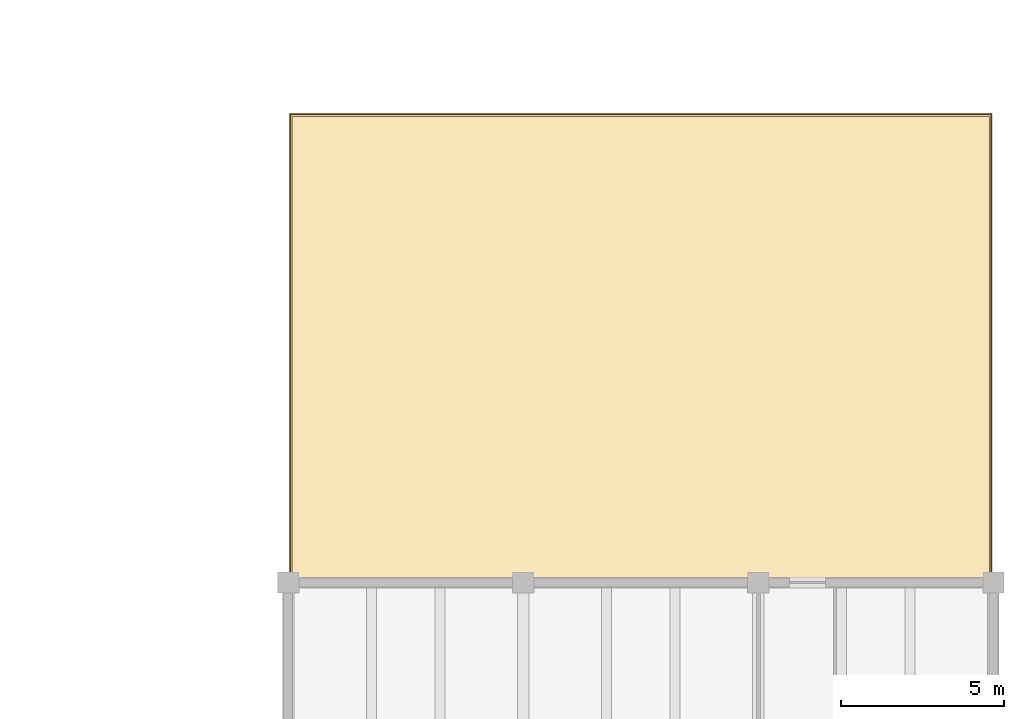
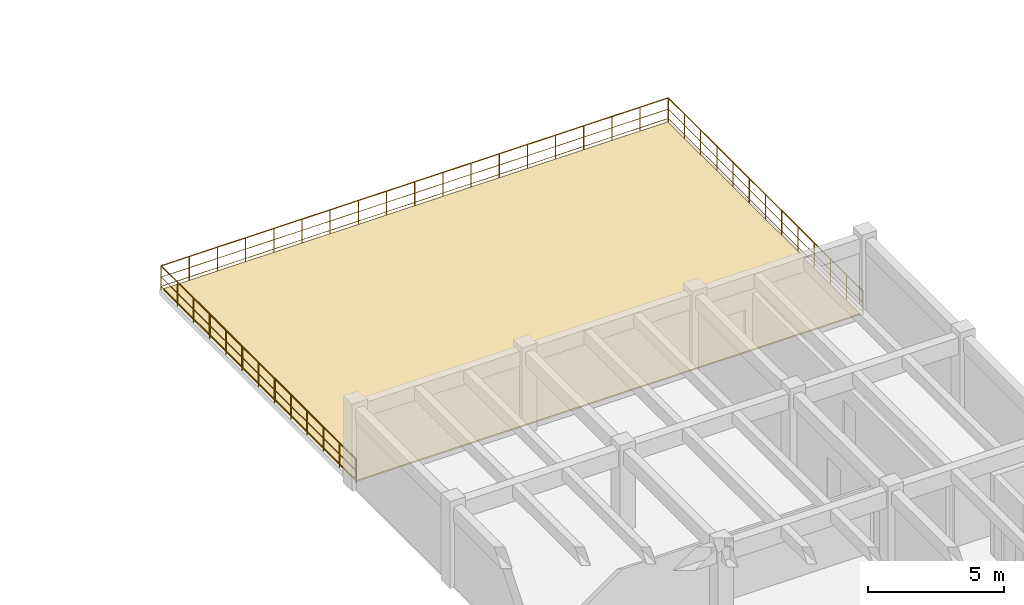
# One storey, part 13 of 13: 3 railings, 1 covering.
"""IFC4 building model written with IfcOpenShell, lengths in metres."""

from ifc_helpers import new_model, si_unit, direction, frame, origin, origin_2d, place, context, subcontext, project, spatial, polyline, circle, outline, extrude, material, layer, layer_set, type_object, element, save


model = new_model("IFC4")

# Units and contexts
model_context = context("Model", 3, precision=1e-05, world=origin(), true_north=direction((0.0, 1.0)))
body_context = subcontext(model_context, "Body", "Model", "MODEL_VIEW")
ifc_project = project(units=[si_unit("LENGTHUNIT", "METRE"), si_unit("AREAUNIT", "SQUARE_METRE"), si_unit("VOLUMEUNIT", "CUBIC_METRE"), si_unit("PLANEANGLEUNIT", "RADIAN"), si_unit("MASSUNIT", "GRAM", prefix="KILO")], contexts=[model_context])

# Site, building, storey
site_placement = place(None, origin())
site = spatial("IfcSite", under=ifc_project, at=site_placement, CompositionType="ELEMENT")
building_placement = place(site_placement, origin())
building = spatial("IfcBuilding", under=site, at=building_placement, Name="Koriwan Promenade Central Fire Station", CompositionType="ELEMENT")
storey_placement = place(building_placement, frame((0.0, 0.0, 13.5)))
storey = spatial("IfcBuildingStorey", under=building, at=storey_placement, Name="L03", CompositionType="ELEMENT", Elevation=13.5)

# Covering
ifc_material_1 = material(Name="Waterproofed xerophytic roof-garden drainage build-up", Category="membrane")
ifc_layer_1 = layer(ifc_material_1, 0.06005859375, Name="Waterproofed xerophytic roof-garden drainage build-up")
ifc_layer_set_1 = layer_set([ifc_layer_1], Name="Waterproofed xerophytic roof-garden drainage build-up")
covering_type = type_object("IfcCoveringType", Name="RoofCovering_Garden", PredefinedType="ROOFING", material=ifc_layer_set_1)
covering_placement = place(storey_placement, origin())
element("IfcCovering", 1, at=covering_placement, inside=storey, type_object=covering_type, Name="East Courtyard Roof Garden waterproofed garden build-up", PredefinedType="ROOFING", context=body_context, shape_type="SweptSolid", body=[
    extrude(outline(polyline([(172.679931640625, 43.320068359375), (151.320068359375, 43.320068359375), (151.320068359375, 57.47998046875), (172.679931640625, 57.47998046875), (172.679931640625, 43.320068359375)])), origin(), (0.0, 0.0, 1.0), 0.06005859375),
])

# Railings
ifc_material_2 = material(Name="Steel ASTM A500 Grade C", Category="steel")
ifc_layer_2 = layer(ifc_material_2, 0.06005859375, Name="Steel ASTM A500 Grade C")
ifc_layer_set_2 = layer_set([ifc_layer_2], Name="Steel ASTM A500 Grade C")
railing_type = type_object("IfcRailingType", Name="TerraceGuard_1100", PredefinedType="BALUSTRADE", material=ifc_layer_set_2)
railing_1_placement = place(storey_placement, frame((151.260009765625, 43.260009765625, 0.0)))
element("IfcRailing", 2, at=railing_1_placement, inside=storey, type_object=railing_type, Name="East Courtyard Roof Garden protective balustrade 020", PredefinedType="BALUSTRADE", context=body_context, shape_type="SweptSolid", body=[
    extrude(circle(Radius=0.02392578125, at=origin_2d()), frame((0.0, 0.0, 1.076171875), z_axis=(0.0, 1.0, 0.0), x_axis=(-1.0, 0.0, 0.0)), (0.0, 0.0, 1.0), 14.280029296875),
    extrude(circle(Radius=0.012939453125, at=origin_2d()), frame((0.0, 0.0, 0.572021484375), z_axis=(0.0, 1.0, 0.0), x_axis=(-1.0, 0.0, 0.0)), (0.0, 0.0, 1.0), 14.280029296875),
    extrude(circle(Radius=0.012939453125, at=origin_2d()), frame((0.0, 0.0, 0.154052734375), z_axis=(0.0, 1.0, 0.0), x_axis=(-1.0, 0.0, 0.0)), (0.0, 0.0, 1.0), 14.280029296875),
    extrude(circle(Radius=0.02099609375, at=origin_2d()), origin(), (0.0, 0.0, 1.0), 1.052001953125),
    extrude(circle(Radius=0.02099609375, at=origin_2d()), frame((0.0, 1.18994140625, 0.0)), (0.0, 0.0, 1.0), 1.052001953125),
    extrude(circle(Radius=0.02099609375, at=origin_2d()), frame((0.0, 2.3798828125, 0.0)), (0.0, 0.0, 1.0), 1.052001953125),
    extrude(circle(Radius=0.02099609375, at=origin_2d()), frame((0.0, 3.570068359375, 0.0)), (0.0, 0.0, 1.0), 1.052001953125),
    extrude(circle(Radius=0.02099609375, at=origin_2d()), frame((0.0, 4.760009765625, 0.0)), (0.0, 0.0, 1.0), 1.052001953125),
    extrude(circle(Radius=0.02099609375, at=origin_2d()), frame((0.0, 5.949951171875, 0.0)), (0.0, 0.0, 1.0), 1.052001953125),
    extrude(circle(Radius=0.02099609375, at=origin_2d()), frame((0.0, 7.14013671875, 0.0)), (0.0, 0.0, 1.0), 1.052001953125),
    extrude(circle(Radius=0.02099609375, at=origin_2d()), frame((0.0, 8.330078125, 0.0)), (0.0, 0.0, 1.0), 1.052001953125),
    extrude(circle(Radius=0.02099609375, at=origin_2d()), frame((0.0, 9.52001953125, 0.0)), (0.0, 0.0, 1.0), 1.052001953125),
    extrude(circle(Radius=0.02099609375, at=origin_2d()), frame((0.0, 10.7099609375, 0.0)), (0.0, 0.0, 1.0), 1.052001953125),
    extrude(circle(Radius=0.02099609375, at=origin_2d()), frame((0.0, 11.89990234375, 0.0)), (0.0, 0.0, 1.0), 1.052001953125),
    extrude(circle(Radius=0.02099609375, at=origin_2d()), frame((0.0, 13.090087890625, 0.0)), (0.0, 0.0, 1.0), 1.052001953125),
    extrude(circle(Radius=0.02099609375, at=origin_2d()), frame((0.0, 14.280029296875, 0.0)), (0.0, 0.0, 1.0), 1.052001953125),
])
railing_2_placement = place(storey_placement, frame((151.260009765625, 57.5400390625, 0.0)))
element("IfcRailing", 3, at=railing_2_placement, inside=storey, type_object=railing_type, Name="East Courtyard Roof Garden protective balustrade 021", PredefinedType="BALUSTRADE", context=body_context, shape_type="SweptSolid", body=[
    extrude(circle(Radius=0.02392578125, at=origin_2d()), frame((0.0, 0.0, 1.076171875), z_axis=(1.0, 0.0, 0.0), x_axis=(0.0, 1.0, 0.0)), (0.0, 0.0, 1.0), 21.47998046875),
    extrude(circle(Radius=0.012939453125, at=origin_2d()), frame((0.0, 0.0, 0.572021484375), z_axis=(1.0, 0.0, 0.0), x_axis=(0.0, 1.0, 0.0)), (0.0, 0.0, 1.0), 21.47998046875),
    extrude(circle(Radius=0.012939453125, at=origin_2d()), frame((0.0, 0.0, 0.154052734375), z_axis=(1.0, 0.0, 0.0), x_axis=(0.0, 1.0, 0.0)), (0.0, 0.0, 1.0), 21.47998046875),
    extrude(circle(Radius=0.02099609375, at=origin_2d()), origin(), (0.0, 0.0, 1.0), 1.052001953125),
    extrude(circle(Radius=0.02099609375, at=origin_2d()), frame((1.193359375, 0.0, 0.0)), (0.0, 0.0, 1.0), 1.052001953125),
    extrude(circle(Radius=0.02099609375, at=origin_2d()), frame((2.38671875, 0.0, 0.0)), (0.0, 0.0, 1.0), 1.052001953125),
    extrude(circle(Radius=0.02099609375, at=origin_2d()), frame((3.580078125, 0.0, 0.0)), (0.0, 0.0, 1.0), 1.052001953125),
    extrude(circle(Radius=0.02099609375, at=origin_2d()), frame((4.7734375, 0.0, 0.0)), (0.0, 0.0, 1.0), 1.052001953125),
    extrude(circle(Radius=0.02099609375, at=origin_2d()), frame((5.966552734375, 0.0, 0.0)), (0.0, 0.0, 1.0), 1.052001953125),
    extrude(circle(Radius=0.02099609375, at=origin_2d()), frame((7.159912109375, 0.0, 0.0)), (0.0, 0.0, 1.0), 1.052001953125),
    extrude(circle(Radius=0.02099609375, at=origin_2d()), frame((8.353271484375, 0.0, 0.0)), (0.0, 0.0, 1.0), 1.052001953125),
    extrude(circle(Radius=0.02099609375, at=origin_2d()), frame((9.546630859375, 0.0, 0.0)), (0.0, 0.0, 1.0), 1.052001953125),
    extrude(circle(Radius=0.02099609375, at=origin_2d()), frame((10.739990234375, 0.0, 0.0)), (0.0, 0.0, 1.0), 1.052001953125),
    extrude(circle(Radius=0.02099609375, at=origin_2d()), frame((11.933349609375, 0.0, 0.0)), (0.0, 0.0, 1.0), 1.052001953125),
    extrude(circle(Radius=0.02099609375, at=origin_2d()), frame((13.126708984375, 0.0, 0.0)), (0.0, 0.0, 1.0), 1.052001953125),
    extrude(circle(Radius=0.02099609375, at=origin_2d()), frame((14.320068359375, 0.0, 0.0)), (0.0, 0.0, 1.0), 1.052001953125),
    extrude(circle(Radius=0.02099609375, at=origin_2d()), frame((15.513427734375, 0.0, 0.0)), (0.0, 0.0, 1.0), 1.052001953125),
    extrude(circle(Radius=0.02099609375, at=origin_2d()), frame((16.70654296875, 0.0, 0.0)), (0.0, 0.0, 1.0), 1.052001953125),
    extrude(circle(Radius=0.02099609375, at=origin_2d()), frame((17.89990234375, 0.0, 0.0)), (0.0, 0.0, 1.0), 1.052001953125),
    extrude(circle(Radius=0.02099609375, at=origin_2d()), frame((19.09326171875, 0.0, 0.0)), (0.0, 0.0, 1.0), 1.052001953125),
    extrude(circle(Radius=0.02099609375, at=origin_2d()), frame((20.28662109375, 0.0, 0.0)), (0.0, 0.0, 1.0), 1.052001953125),
    extrude(circle(Radius=0.02099609375, at=origin_2d()), frame((21.47998046875, 0.0, 0.0)), (0.0, 0.0, 1.0), 1.052001953125),
])
railing_3_placement = place(storey_placement, frame((172.739990234375, 57.5400390625, 0.0)))
element("IfcRailing", 4, at=railing_3_placement, inside=storey, type_object=railing_type, Name="East Courtyard Roof Garden protective balustrade 022", PredefinedType="BALUSTRADE", context=body_context, shape_type="SweptSolid", body=[
    extrude(circle(Radius=0.02392578125, at=origin_2d()), frame((0.0, 0.0, 1.076171875), z_axis=(0.0, -1.0, 0.0), x_axis=(1.0, 0.0, 0.0)), (0.0, 0.0, 1.0), 14.280029296875),
    extrude(circle(Radius=0.012939453125, at=origin_2d()), frame((0.0, 0.0, 0.572021484375), z_axis=(0.0, -1.0, 0.0), x_axis=(1.0, 0.0, 0.0)), (0.0, 0.0, 1.0), 14.280029296875),
    extrude(circle(Radius=0.012939453125, at=origin_2d()), frame((0.0, 0.0, 0.154052734375), z_axis=(0.0, -1.0, 0.0), x_axis=(1.0, 0.0, 0.0)), (0.0, 0.0, 1.0), 14.280029296875),
    extrude(circle(Radius=0.02099609375, at=origin_2d()), origin(), (0.0, 0.0, 1.0), 1.052001953125),
    extrude(circle(Radius=0.02099609375, at=origin_2d()), frame((0.0, -1.18994140625, 0.0)), (0.0, 0.0, 1.0), 1.052001953125),
    extrude(circle(Radius=0.02099609375, at=origin_2d()), frame((0.0, -2.3798828125, 0.0)), (0.0, 0.0, 1.0), 1.052001953125),
    extrude(circle(Radius=0.02099609375, at=origin_2d()), frame((0.0, -3.570068359375, 0.0)), (0.0, 0.0, 1.0), 1.052001953125),
    extrude(circle(Radius=0.02099609375, at=origin_2d()), frame((0.0, -4.760009765625, 0.0)), (0.0, 0.0, 1.0), 1.052001953125),
    extrude(circle(Radius=0.02099609375, at=origin_2d()), frame((0.0, -5.949951171875, 0.0)), (0.0, 0.0, 1.0), 1.052001953125),
    extrude(circle(Radius=0.02099609375, at=origin_2d()), frame((0.0, -7.14013671875, 0.0)), (0.0, 0.0, 1.0), 1.052001953125),
    extrude(circle(Radius=0.02099609375, at=origin_2d()), frame((0.0, -8.330078125, 0.0)), (0.0, 0.0, 1.0), 1.052001953125),
    extrude(circle(Radius=0.02099609375, at=origin_2d()), frame((0.0, -9.52001953125, 0.0)), (0.0, 0.0, 1.0), 1.052001953125),
    extrude(circle(Radius=0.02099609375, at=origin_2d()), frame((0.0, -10.7099609375, 0.0)), (0.0, 0.0, 1.0), 1.052001953125),
    extrude(circle(Radius=0.02099609375, at=origin_2d()), frame((0.0, -11.89990234375, 0.0)), (0.0, 0.0, 1.0), 1.052001953125),
    extrude(circle(Radius=0.02099609375, at=origin_2d()), frame((0.0, -13.090087890625, 0.0)), (0.0, 0.0, 1.0), 1.052001953125),
    extrude(circle(Radius=0.02099609375, at=origin_2d()), frame((0.0, -14.280029296875, 0.0)), (0.0, 0.0, 1.0), 1.052001953125),
])

save(model, "model.ifc")
